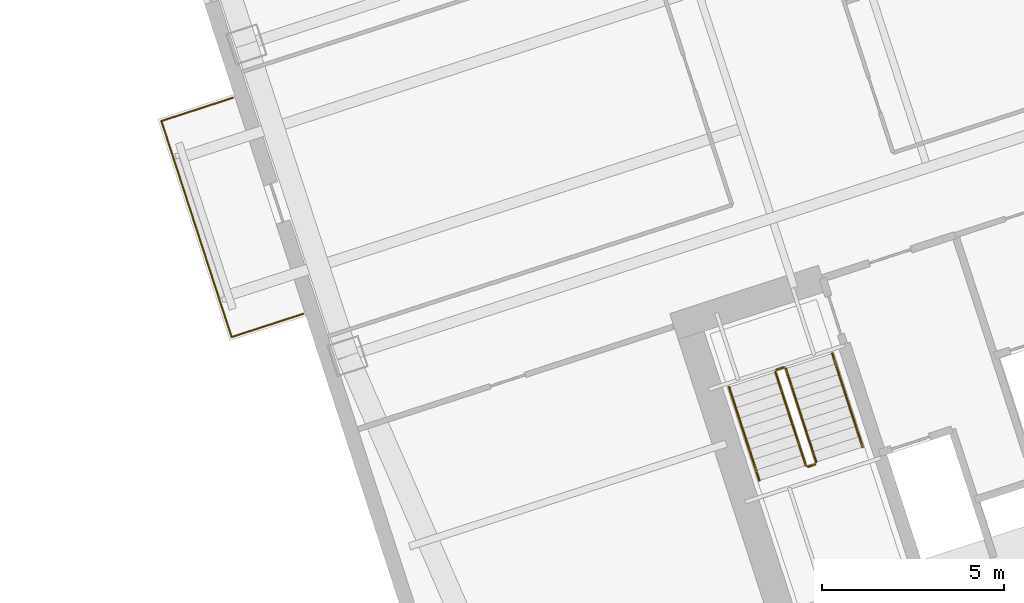
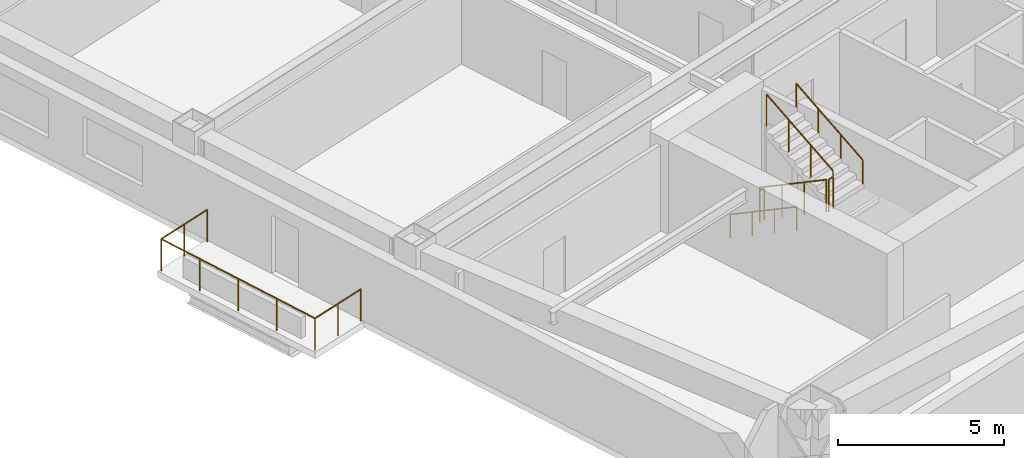
# One storey, part 14 of 15: 7 railings.
"""IFC4 building model written with IfcOpenShell, lengths in metres."""

from ifc_helpers import new_model, si_unit, direction, frame, origin, origin_2d, place, context, subcontext, project, spatial, circle, extrude, material, type_object, element, save


model = new_model("IFC4")

# Units and contexts
model_context = context("Model", 3, precision=1e-05, world=origin(), true_north=direction((0.0, 1.0)))
body_context = subcontext(model_context, "Body", "Model", "MODEL_VIEW")
ifc_project = project(units=[si_unit("LENGTHUNIT", "METRE"), si_unit("AREAUNIT", "SQUARE_METRE"), si_unit("VOLUMEUNIT", "CUBIC_METRE"), si_unit("PLANEANGLEUNIT", "RADIAN"), si_unit("MASSUNIT", "GRAM", prefix="KILO")], contexts=[model_context])

# Site, building, storey
site_placement = place(None, origin())
site = spatial("IfcSite", under=ifc_project, at=site_placement, CompositionType="ELEMENT")
building_placement = place(site_placement, origin())
building = spatial("IfcBuilding", under=site, at=building_placement, Name="Qiaolan Cultural Towers", CompositionType="ELEMENT")
storey_placement = place(building_placement, frame((0.0, 0.0, 81.64990234375)))
storey = spatial("IfcBuildingStorey", under=building, at=storey_placement, Name="L20", CompositionType="ELEMENT", Elevation=81.64990234375)

# Railings
ifc_material_1 = material(Name="Laminated SentryGlas & Stainless Steel S31608 Balustrade", Category="steel")
railing_type_1 = type_object("IfcRailingType", Name="GRD-TERR-1200", PredefinedType="BALUSTRADE", material=ifc_material_1)
railing_1_placement = place(storey_placement, frame((75.6328125, 21.4248046875, 0.0)))
element("IfcRailing", 1, at=railing_1_placement, inside=storey, type_object=railing_type_1, Name="L20 T2 Tree Balcony Guardrail W", PredefinedType="BALUSTRADE", context=body_context, shape_type="SweptSolid", body=[
    extrude(circle(Radius=0.02392578125, at=origin_2d()), frame((0.0, 0.0, 1.17578125), z_axis=(-0.951061799618, -0.309000733507, 0.0), x_axis=(0.309000733507, -0.951061799618, 0.0)), (0.0, 0.0, 1.0), 2.070068359375),
    extrude(circle(Radius=0.02392578125, at=origin_2d()), frame((-1.96875, -0.6396484375, 1.17578125), z_axis=(-0.30901175762, 0.951058217804, 0.0), x_axis=(-0.951058217804, -0.30901175762, 0.0)), (0.0, 0.0, 1.0), 6.239990234375),
    extrude(circle(Radius=0.02392578125, at=origin_2d()), frame((-3.89697265625, 5.294921875, 1.17578125), z_axis=(0.951061799618, 0.309000733507, 0.0), x_axis=(-0.309000733507, 0.951061799618, 0.0)), (0.0, 0.0, 1.0), 2.070068359375),
    extrude(circle(Radius=0.02099609375, at=origin_2d()), origin(), (0.0, 0.0, 1.0), 1.15185546875),
    extrude(circle(Radius=0.02099609375, at=origin_2d()), frame((-0.984375, -0.31982421875, 0.0)), (0.0, 0.0, 1.0), 1.15185546875),
    extrude(circle(Radius=0.02099609375, at=origin_2d()), frame((-1.96875, -0.6396484375, 0.0)), (0.0, 0.0, 1.0), 1.15185546875),
    extrude(circle(Radius=0.02099609375, at=origin_2d()), frame((-2.45068359375, 0.843994140625, 0.0)), (0.0, 0.0, 1.0), 1.15185546875),
    extrude(circle(Radius=0.02099609375, at=origin_2d()), frame((-2.932861328125, 2.32763671875, 0.0)), (0.0, 0.0, 1.0), 1.15185546875),
    extrude(circle(Radius=0.02099609375, at=origin_2d()), frame((-3.4150390625, 3.811279296875, 0.0)), (0.0, 0.0, 1.0), 1.15185546875),
    extrude(circle(Radius=0.02099609375, at=origin_2d()), frame((-3.89697265625, 5.294921875, 0.0)), (0.0, 0.0, 1.0), 1.15185546875),
    extrude(circle(Radius=0.02099609375, at=origin_2d()), frame((-2.91259765625, 5.61474609375, 0.0)), (0.0, 0.0, 1.0), 1.15185546875),
    extrude(circle(Radius=0.02099609375, at=origin_2d()), frame((-1.92822265625, 5.9345703125, 0.0)), (0.0, 0.0, 1.0), 1.15185546875),
])
ifc_material_2 = material(Name="Galvanized Painted Steel Stair Guardrail", Category="steel")
railing_type_2 = type_object("IfcRailingType", Name="RL-STAIR-GRD", PredefinedType="GUARDRAIL", material=ifc_material_2)
railing_2_placement = place(storey_placement, frame((88.60205078125, 19.82421875, 0.172607421875)))
element("IfcRailing", 2, at=railing_2_placement, inside=storey, type_object=railing_type_2, Name="L20 ST-E1 stair guard 1", PredefinedType="GUARDRAIL", context=body_context, shape_type="SweptSolid", body=[
    extrude(circle(Radius=0.02392578125, at=origin_2d()), frame((0.0, 0.0, 1.17578125), z_axis=(0.267925668498, -0.824471088726, 0.498460891159), x_axis=(0.951043371037, 0.309057448393, 0.0)), (0.0, 0.0, 1.0), 3.114501953125),
    extrude(circle(Radius=0.02099609375, at=origin_2d()), origin(), (0.0, 0.0, 1.0), 1.15185546875),
    extrude(circle(Radius=0.02099609375, at=origin_2d()), frame((0.278076171875, -0.85595703125, 0.517578125)), (0.0, 0.0, 1.0), 1.15185546875),
    extrude(circle(Radius=0.02099609375, at=origin_2d()), frame((0.556396484375, -1.7119140625, 1.034912109375)), (0.0, 0.0, 1.0), 1.15185546875),
    extrude(circle(Radius=0.02099609375, at=origin_2d()), frame((0.83447265625, -2.56787109375, 1.552490234375)), (0.0, 0.0, 1.0), 1.15185546875),
])
railing_3_placement = place(storey_placement, frame((89.49951171875, 17.224365234375, 1.72509765625)))
element("IfcRailing", 3, at=railing_3_placement, inside=storey, type_object=railing_type_2, Name="L20 ST-E1 stair guard 2", PredefinedType="GUARDRAIL", context=body_context, shape_type="SweptSolid", body=[
    extrude(circle(Radius=0.02392578125, at=origin_2d()), frame((0.0, 0.0, 1.17578125), z_axis=(0.951096855055, 0.308892816854, 0.0), x_axis=(-0.308892816854, 0.951096855055, 0.0)), (0.0, 0.0, 1.0), 0.199951171875),
    extrude(circle(Radius=0.02099609375, at=origin_2d()), origin(), (0.0, 0.0, 1.0), 1.15185546875),
    extrude(circle(Radius=0.02099609375, at=origin_2d()), frame((0.190185546875, 0.061767578125, 0.0)), (0.0, 0.0, 1.0), 1.15185546875),
])
railing_4_placement = place(storey_placement, frame((89.721923828125, 17.34912109375, 1.897705078125)))
element("IfcRailing", 4, at=railing_4_placement, inside=storey, type_object=railing_type_2, Name="L20 ST-E1 stair guard 3", PredefinedType="GUARDRAIL", context=body_context, shape_type="SweptSolid", body=[
    extrude(circle(Radius=0.02392578125, at=origin_2d()), frame((0.0, 0.0, 1.17578125), z_axis=(-0.267925668498, 0.824471088726, 0.498460891159), x_axis=(-0.951043371037, -0.309057448393, 0.0)), (0.0, 0.0, 1.0), 3.114501953125),
    extrude(circle(Radius=0.02099609375, at=origin_2d()), origin(), (0.0, 0.0, 1.0), 1.15185546875),
    extrude(circle(Radius=0.02099609375, at=origin_2d()), frame((-0.278076171875, 0.85595703125, 0.517578125)), (0.0, 0.0, 1.0), 1.15185546875),
    extrude(circle(Radius=0.02099609375, at=origin_2d()), frame((-0.556396484375, 1.7119140625, 1.034912109375)), (0.0, 0.0, 1.0), 1.15185546875),
    extrude(circle(Radius=0.02099609375, at=origin_2d()), frame((-0.83447265625, 2.56787109375, 1.552490234375)), (0.0, 0.0, 1.0), 1.15185546875),
])
railing_5_placement = place(storey_placement, frame((88.63427734375, 19.88720703125, 0.0)))
element("IfcRailing", 5, at=railing_5_placement, inside=storey, type_object=railing_type_2, Name="L20 ST-E1 stair guard 4", PredefinedType="GUARDRAIL", context=body_context, shape_type="SweptSolid", body=[
    extrude(circle(Radius=0.02392578125, at=origin_2d()), frame((0.0, 0.0, 1.17578125), z_axis=(0.951096855055, 0.308892816854, 0.0), x_axis=(-0.308892816854, 0.951096855055, 0.0)), (0.0, 0.0, 1.0), 0.199951171875),
    extrude(circle(Radius=0.02099609375, at=origin_2d()), origin(), (0.0, 0.0, 1.0), 1.15185546875),
    extrude(circle(Radius=0.02099609375, at=origin_2d()), frame((0.190185546875, 0.061767578125, 0.0)), (0.0, 0.0, 1.0), 1.15185546875),
])
ifc_material_3 = material(Name="Stainless Steel S30408 Tubular Handrail", Category="steel")
railing_type_3 = type_object("IfcRailingType", Name="RL-STAIR-HR", PredefinedType="HANDRAIL", material=ifc_material_3)
railing_6_placement = place(storey_placement, frame((87.32763671875, 19.41015625, 0.172607421875)))
element("IfcRailing", 6, at=railing_6_placement, inside=storey, type_object=railing_type_3, Name="L20 ST-E1 stair handrail 1", PredefinedType="HANDRAIL", context=body_context, shape_type="SweptSolid", body=[
    extrude(circle(Radius=0.02392578125, at=origin_2d()), frame((0.0, 0.0, 0.8759765625), z_axis=(0.267925668498, -0.824471088726, 0.498460891159), x_axis=(0.951043371037, 0.309057448393, 0.0)), (0.0, 0.0, 1.0), 3.114501953125),
    extrude(circle(Radius=0.02099609375, at=origin_2d()), origin(), (0.0, 0.0, 1.0), 0.851806640625),
    extrude(circle(Radius=0.02099609375, at=origin_2d()), frame((0.278076171875, -0.85595703125, 0.517578125)), (0.0, 0.0, 1.0), 0.851806640625),
    extrude(circle(Radius=0.02099609375, at=origin_2d()), frame((0.556396484375, -1.7119140625, 1.034912109375)), (0.0, 0.0, 1.0), 0.851806640625),
    extrude(circle(Radius=0.02099609375, at=origin_2d()), frame((0.83447265625, -2.56787109375, 1.552490234375)), (0.0, 0.0, 1.0), 0.851806640625),
])
railing_7_placement = place(storey_placement, frame((90.996337890625, 17.76318359375, 1.897705078125)))
element("IfcRailing", 7, at=railing_7_placement, inside=storey, type_object=railing_type_3, Name="L20 ST-E1 stair handrail 2", PredefinedType="HANDRAIL", context=body_context, shape_type="SweptSolid", body=[
    extrude(circle(Radius=0.02392578125, at=origin_2d()), frame((0.0, 0.0, 0.8759765625), z_axis=(-0.267925668498, 0.824471088726, 0.498460891159), x_axis=(-0.951043371037, -0.309057448393, 0.0)), (0.0, 0.0, 1.0), 3.114501953125),
    extrude(circle(Radius=0.02099609375, at=origin_2d()), origin(), (0.0, 0.0, 1.0), 0.851806640625),
    extrude(circle(Radius=0.02099609375, at=origin_2d()), frame((-0.278076171875, 0.85595703125, 0.517578125)), (0.0, 0.0, 1.0), 0.851806640625),
    extrude(circle(Radius=0.02099609375, at=origin_2d()), frame((-0.556396484375, 1.7119140625, 1.034912109375)), (0.0, 0.0, 1.0), 0.851806640625),
    extrude(circle(Radius=0.02099609375, at=origin_2d()), frame((-0.83447265625, 2.56787109375, 1.552490234375)), (0.0, 0.0, 1.0), 0.851806640625),
])

save(model, "model.ifc")
